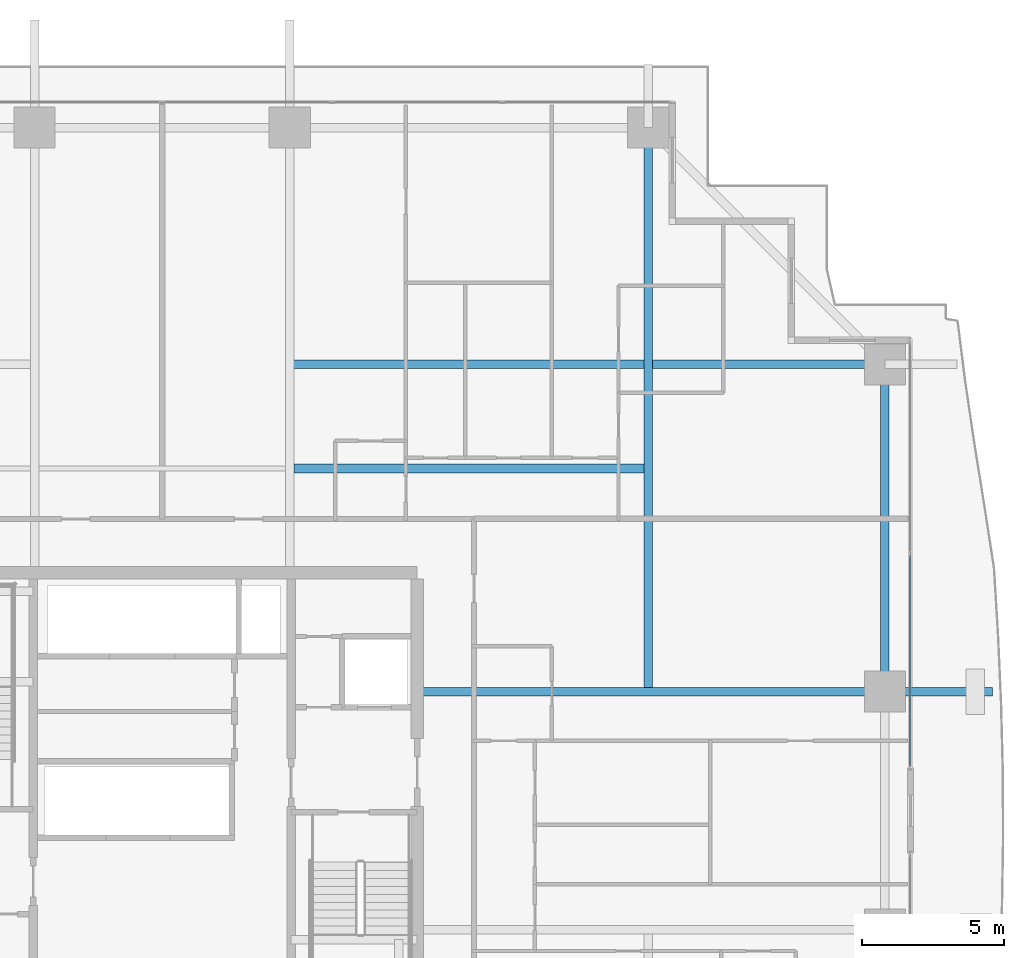
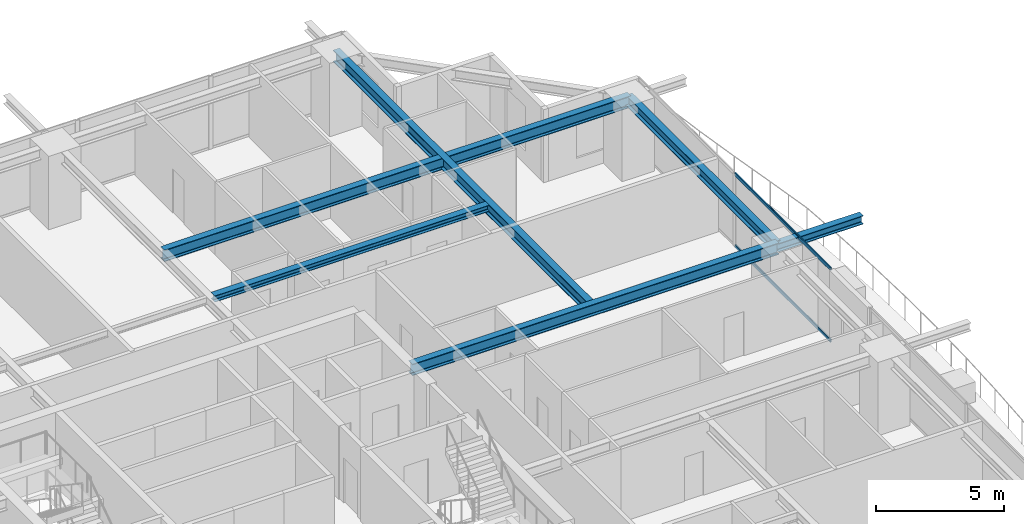
# One storey, part 22 of 39: 6 beams, 2 members, 1 element without a shape of its own.
"""IFC4 building model written with IfcOpenShell, lengths in metres."""

from ifc_helpers import new_model, si_unit, direction, frame, origin, origin_2d, place, context, subcontext, project, spatial, hollow_rectangle, i_section, extrude, source, transform, mapped, material, layer, layer_set, material_profile, profile_set, type_object, element, aggregate, save


model = new_model("IFC4")

# Units and contexts
model_context = context("Model", 3, precision=1e-05, world=origin(), true_north=direction((0.0, 1.0)))
body_context = subcontext(model_context, "Body", "Model", "MODEL_VIEW")
ifc_project = project(units=[si_unit("LENGTHUNIT", "METRE"), si_unit("AREAUNIT", "SQUARE_METRE"), si_unit("VOLUMEUNIT", "CUBIC_METRE"), si_unit("PLANEANGLEUNIT", "RADIAN"), si_unit("MASSUNIT", "GRAM", prefix="KILO")], contexts=[model_context])

# Site, building, storey
site_placement = place(None, origin())
site = spatial("IfcSite", under=ifc_project, at=site_placement, CompositionType="ELEMENT")
building_placement = place(site_placement, origin())
building = spatial("IfcBuilding", under=site, at=building_placement, Name="Serunith Strait Residences", CompositionType="ELEMENT")
storey_placement = place(building_placement, frame((0.0, 0.0, 94.199951171875)))
storey = spatial("IfcBuildingStorey", under=building, at=storey_placement, Name="L23", CompositionType="ELEMENT", Elevation=94.199951171875)

# Beams
ifc_material_1 = material(Name="Steel S355J2", Category="steel")
ifc_material_profile_1 = material_profile(ifc_material_1, i_section(OverallWidth=0.300048828125, OverallDepth=0.550048828125, WebThickness=0.014892578125, FlangeThickness=0.029052734375, FilletRadius=0.027099609375, at=origin_2d()), Name="HEB 550")
ifc_profile_set_1 = profile_set([ifc_material_profile_1], Name="Steel S355J2")
beam_type_1 = type_object("IfcBeamType", Name="BM-HEB550", PredefinedType="BEAM", material=ifc_profile_set_1)
shared_shape_1 = source(origin(), body_context, "Body", "SweptSolid", [
    extrude(i_section(OverallWidth=0.300048828125, OverallDepth=0.550048828125, WebThickness=0.014892578125, FlangeThickness=0.029052734375, FilletRadius=0.027099609375, at=origin_2d()), origin(), (0.0, 0.0, 1.0), 16.5),
])
beam_1_placement = place(storey_placement, frame((41.39990234375, 29.39990234375, 3.212158203125), z_axis=(1.0, 0.0, 0.0), x_axis=(0.0, 1.0, 0.0)))
element("IfcBeam", 1, at=beam_1_placement, inside=storey, type_object=beam_type_1, Name="L23 Primary Floor Girder TC-E3", PredefinedType="BEAM", context=body_context, shape_type="MappedRepresentation", body=[
    mapped(shared_shape_1, transform((0.0, 0.0, 0.0), scale=1.0)),
])
shared_shape_2 = source(origin(), body_context, "Body", "SweptSolid", [
    extrude(i_section(OverallWidth=0.300048828125, OverallDepth=0.550048828125, WebThickness=0.014892578125, FlangeThickness=0.029052734375, FilletRadius=0.027099609375, at=origin_2d()), origin(), (0.0, 0.0, 1.0), 19.900146484375),
])
beam_2_placement = place(storey_placement, frame((49.550048828125, 29.39990234375, 3.212158203125), z_axis=(0.0, 1.0, 0.0), x_axis=(-1.0, 0.0, 0.0)))
element("IfcBeam", 2, at=beam_2_placement, inside=storey, type_object=beam_type_1, Name="L23 Orthogonal Corner Girder TC-N4", PredefinedType="BEAM", context=body_context, shape_type="MappedRepresentation", body=[
    mapped(shared_shape_2, transform((0.0, 0.0, 0.0), scale=1.0)),
])
shared_shape_3 = source(origin(), body_context, "Body", "SweptSolid", [
    extrude(i_section(OverallWidth=0.300048828125, OverallDepth=0.550048828125, WebThickness=0.014892578125, FlangeThickness=0.029052734375, FilletRadius=0.027099609375, at=origin_2d()), origin(), (0.0, 0.0, 1.0), 21.0),
])
beam_3_placement = place(storey_placement, frame((36.89990234375, 40.949951171875, 3.212158203125), z_axis=(1.0, 0.0, 0.0), x_axis=(0.0, 1.0, 0.0)))
element("IfcBeam", 3, at=beam_3_placement, inside=storey, type_object=beam_type_1, Name="L23 Orthogonal Corner Girder TC-E4", PredefinedType="BEAM", context=body_context, shape_type="MappedRepresentation", body=[
    mapped(shared_shape_3, transform((0.0, 0.0, 0.0), scale=1.0)),
])
ifc_material_profile_2 = material_profile(ifc_material_1, i_section(OverallWidth=0.300048828125, OverallDepth=0.5, WebThickness=0.014404296875, FlangeThickness=0.028076171875, FilletRadius=0.027099609375, at=origin_2d()), Name="HEB 500")
ifc_profile_set_2 = profile_set([ifc_material_profile_2], Name="Steel S355J2")
beam_type_2 = type_object("IfcBeamType", Name="BM-HEB500", PredefinedType="BEAM", material=ifc_profile_set_2)
shared_shape_4 = source(origin(), body_context, "Body", "SweptSolid", [
    extrude(i_section(OverallWidth=0.300048828125, OverallDepth=0.5, WebThickness=0.014404296875, FlangeThickness=0.028076171875, FilletRadius=0.027099609375, at=origin_2d()), origin(), (0.0, 0.0, 1.0), 11.550048828125),
])
beam_4_placement = place(storey_placement, frame((57.89990234375, 29.39990234375, 3.237060546875), z_axis=(0.0, 1.0, 0.0), x_axis=(-1.0, 0.0, 0.0)))
element("IfcBeam", 4, at=beam_4_placement, inside=storey, type_object=beam_type_2, Name="L23 Perimeter Ring Beam 07", PredefinedType="BEAM", context=body_context, shape_type="MappedRepresentation", body=[
    mapped(shared_shape_4, transform((0.0, 0.0, 0.0), scale=1.0)),
])
ifc_material_profile_3 = material_profile(ifc_material_1, i_section(OverallWidth=0.300048828125, OverallDepth=0.39990234375, WebThickness=0.013427734375, FlangeThickness=0.02392578125, FilletRadius=0.027099609375, at=origin_2d()), Name="HEB 400")
ifc_profile_set_3 = profile_set([ifc_material_profile_3], Name="Steel S355J2")
beam_type_3 = type_object("IfcBeamType", Name="BM-HEB400", PredefinedType="BEAM", material=ifc_profile_set_3)
shared_shape_5 = source(origin(), body_context, "Body", "SweptSolid", [
    extrude(i_section(OverallWidth=0.300048828125, OverallDepth=0.39990234375, WebThickness=0.013427734375, FlangeThickness=0.02392578125, FilletRadius=0.027099609375, at=origin_2d()), origin(), (0.0, 0.0, 1.0), 3.800048828125),
])
beam_5_placement = place(storey_placement, frame((57.89990234375, 29.39990234375, 3.257080078125), z_axis=(1.0, 0.0, 0.0), x_axis=(0.0, 1.0, 0.0)))
element("IfcBeam", 5, at=beam_5_placement, inside=storey, type_object=beam_type_3, Name="L24 Cantilevered Balcony Rib TC-E3", PredefinedType="BEAM", context=body_context, shape_type="MappedRepresentation", body=[
    mapped(shared_shape_5, transform((0.0, 0.0, 0.0), scale=1.0)),
])
ifc_material_profile_4 = material_profile(ifc_material_1, i_section(OverallWidth=0.300048828125, OverallDepth=0.300048828125, WebThickness=0.010986328125, FlangeThickness=0.01904296875, FilletRadius=0.027099609375, at=origin_2d()), Name="HEB 300")
ifc_profile_set_4 = profile_set([ifc_material_profile_4], Name="Steel S355J2")
beam_type_4 = type_object("IfcBeamType", Name="BM-HEB300", PredefinedType="JOIST", material=ifc_profile_set_4)
shared_shape_6 = source(origin(), body_context, "Body", "SweptSolid", [
    extrude(i_section(OverallWidth=0.300048828125, OverallDepth=0.300048828125, WebThickness=0.010986328125, FlangeThickness=0.01904296875, FilletRadius=0.027099609375, at=origin_2d()), origin(), (0.0, 0.0, 1.0), 12.349853515625),
])
beam_6_placement = place(storey_placement, frame((37.050048828125, 37.27490234375, 3.337158203125), z_axis=(1.0, 0.0, 0.0), x_axis=(0.0, 1.0, 0.0)))
element("IfcBeam", 6, at=beam_6_placement, inside=storey, type_object=beam_type_4, Name="L23 Composite Floor Joist 06", PredefinedType="JOIST", context=body_context, shape_type="MappedRepresentation", body=[
    mapped(shared_shape_6, transform((0.0, 0.0, 0.0), scale=1.0)),
])

# Curtain wall, members
ifc_material_2 = material(Name="Pale-Champagne Anodised Aluminium", Category="aluminium")
ifc_layer = layer(ifc_material_2, 0.199951171875, Name="Pale-Champagne Anodised Aluminium")
ifc_layer_set = layer_set([ifc_layer], Name="Pale-Champagne Anodised Aluminium")
curtain_wall_type = type_object("IfcCurtainWallType", Name="CW-SYS1", PredefinedType="NOTDEFINED", material=ifc_layer_set)
curtain_wall_placement = place(storey_placement, origin())
curtain_wall = element("IfcCurtainWall", 7, at=curtain_wall_placement, inside=storey, type_object=curtain_wall_type, Name="L23 E Unitised Fritted Curtain Wall", PredefinedType="NOTDEFINED")
ifc_material_profile_5 = material_profile(ifc_material_2, hollow_rectangle(XDim=0.06005859375, YDim=0.159912109375, WallThickness=0.00341796875, InnerFilletRadius=0.00537109375, OuterFilletRadius=0.0087890625, at=origin_2d()), Name="ALU 160x60x3.5")
ifc_profile_set_5 = profile_set([ifc_material_profile_5], Name="Pale-Champagne Anodised Aluminium")
member_type = type_object("IfcMemberType", Name="CW-SYS1-TRAN", PredefinedType="USERDEFINED", material=ifc_profile_set_5)
shared_shape_7 = source(origin(), body_context, "Body", "SweptSolid", [
    extrude(hollow_rectangle(XDim=0.06005859375, YDim=0.159912109375, WallThickness=0.00341796875, InnerFilletRadius=0.00537109375, OuterFilletRadius=0.0087890625, at=origin_2d()), origin(), (0.0, 0.0, 1.0), 7.445068359375),
])
member_1_placement = place(storey_placement, frame((58.800048828125, 26.77001953125, 0.030029296875), z_axis=(0.0, 1.0, 0.0), x_axis=(-1.0, 0.0, 0.0)))
member_1 = element("IfcMember", 8, at=member_1_placement, type_object=member_type, Name="CW-1 transom 1.1", ObjectType="TRANSOM", PredefinedType="USERDEFINED", context=body_context, shape_type="MappedRepresentation", body=[
    mapped(shared_shape_7, transform((0.0, 0.0, 0.0), scale=1.0)),
])
member_2_placement = place(storey_placement, frame((58.800048828125, 26.77001953125, 3.445068359375), z_axis=(0.0, 1.0, 0.0), x_axis=(-1.0, 0.0, 0.0)))
member_2 = element("IfcMember", 9, at=member_2_placement, type_object=member_type, Name="CW-1 transom 1.2", ObjectType="TRANSOM", PredefinedType="USERDEFINED", context=body_context, shape_type="MappedRepresentation", body=[
    mapped(shared_shape_7, transform((0.0, 0.0, 0.0), scale=1.0)),
])
aggregate(curtain_wall, [member_1, member_2])

save(model, "model.ifc")
